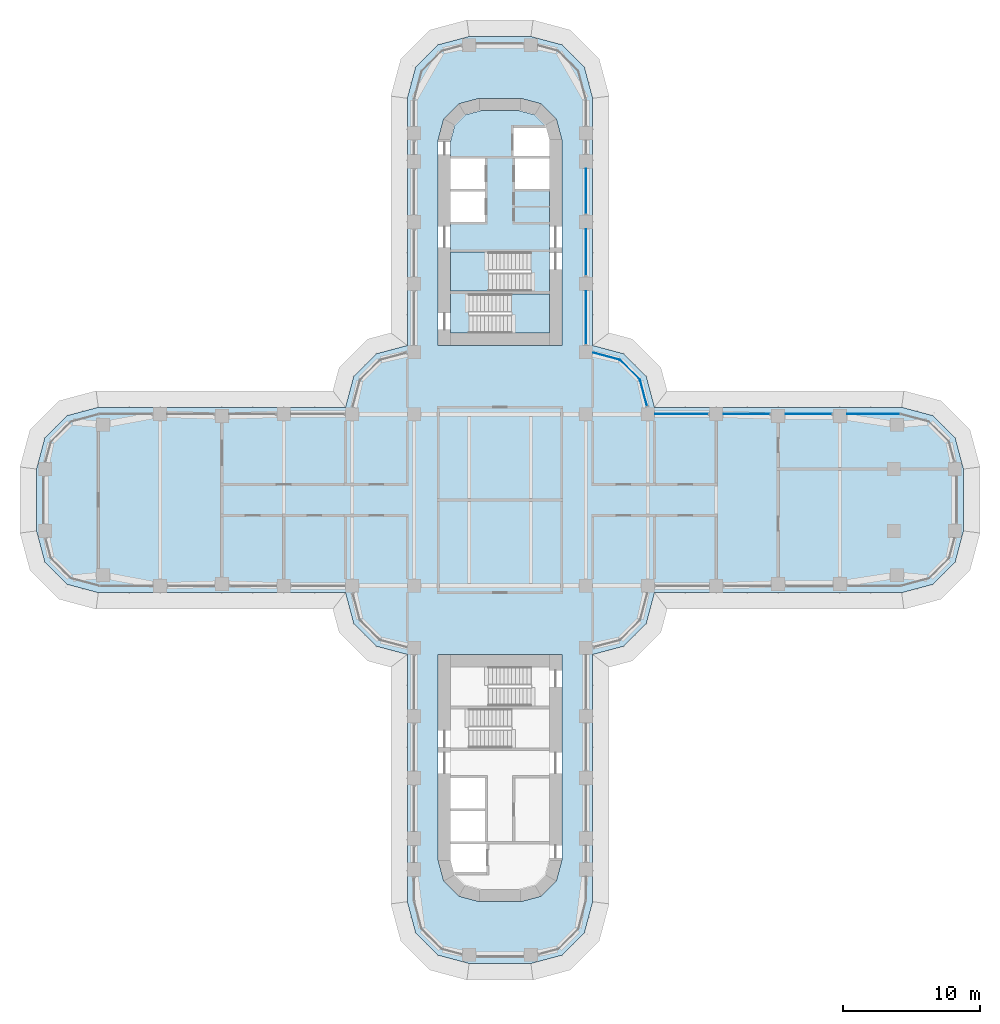
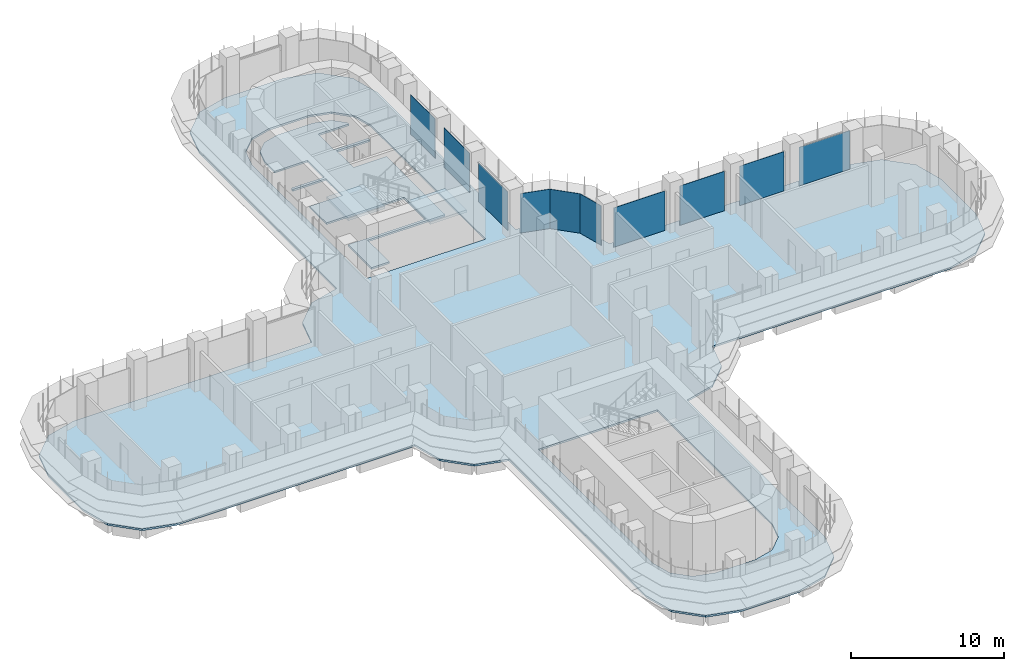
# One storey, part 15 of 23: 10 plates, 4 slabs, 7 elements without a shape of their own.
"""IFC4 building model written with IfcOpenShell, lengths in metres."""

from ifc_helpers import new_model, si_unit, direction, frame, origin, place, context, subcontext, project, spatial, polyline, outline, extrude, source, transform, mapped, material, layer, layer_set, type_object, element, aggregate, save


model = new_model("IFC4")

# Units and contexts
model_context = context("Model", 3, precision=1e-05, world=origin(), true_north=direction((0.0, 1.0)))
body_context = subcontext(model_context, "Body", "Model", "MODEL_VIEW")
ifc_project = project(units=[si_unit("LENGTHUNIT", "METRE"), si_unit("AREAUNIT", "SQUARE_METRE"), si_unit("VOLUMEUNIT", "CUBIC_METRE"), si_unit("PLANEANGLEUNIT", "RADIAN"), si_unit("MASSUNIT", "GRAM", prefix="KILO")], contexts=[model_context])

# Site, building, storey
site_placement = place(None, origin())
site = spatial("IfcSite", under=ifc_project, at=site_placement, CompositionType="ELEMENT")
building_placement = place(site_placement, origin())
building = spatial("IfcBuilding", under=site, at=building_placement, Name="Zarbagh Exchange Tower", CompositionType="ELEMENT")
storey_placement = place(building_placement, frame((0.0, 0.0, 52.199951171875)))
storey = spatial("IfcBuildingStorey", under=building, at=storey_placement, Name="L11", CompositionType="ELEMENT", Elevation=52.199951171875)

# Slabs
ifc_material_1 = material(Name="Concrete C40/50", Category="concrete")
ifc_layer_1 = layer(ifc_material_1, 0.14990234375)
ifc_layer_set_1 = layer_set([ifc_layer_1], Name="Composite floor slab 150 C40/50")
slab_type_1 = type_object("IfcSlabType", Name="Composite floor slab 150 C40/50", PredefinedType="FLOOR", material=ifc_layer_set_1)
slab_1_placement = place(storey_placement, frame((0.0, 0.0, -0.14990234375)))
element("IfcSlab", 1, at=slab_1_placement, inside=storey, type_object=slab_type_1, Name="S5 composite floor slab", PredefinedType="FLOOR", context=body_context, shape_type="SweptSolid", body=[
    extrude(outline(polyline([(-2.25, -33.75), (-4.5, -33.147216796875), (-6.147216796875, -31.5), (-6.75, -29.25), (-6.75, -11.25), (-9.0, -10.647216796875), (-10.647216796875, -9.0), (-11.25, -6.75), (-29.25, -6.75), (-31.5, -6.147216796875), (-33.147216796875, -4.5), (-33.75, -2.25), (-33.75, 2.25), (-33.147216796875, 4.5), (-31.5, 6.147216796875), (-29.25, 6.75), (-11.25, 6.75), (-10.647216796875, 9.0), (-9.0, 10.647216796875), (-6.75, 11.25), (-6.75, 29.25), (-6.147216796875, 31.5), (-4.5, 33.147216796875), (-2.25, 33.75), (2.25, 33.75), (4.5, 33.147216796875), (6.147216796875, 31.5), (6.75, 29.25), (6.75, 11.25), (9.0, 10.647216796875), (10.647216796875, 9.0), (11.25, 6.75), (29.25, 6.75), (31.5, 6.147216796875), (33.147216796875, 4.5), (33.75, 2.25), (33.75, -2.25), (33.147216796875, -4.5), (31.5, -6.147216796875), (29.25, -6.75), (11.25, -6.75), (10.647216796875, -9.0), (9.0, -10.647216796875), (6.75, -11.25), (6.75, -29.25), (6.147216796875, -31.5), (4.5, -33.147216796875), (2.25, -33.75), (-2.25, -33.75)]), holes=[polyline([(4.5, 11.25), (4.5, 26.25), (4.09814453125, 27.75), (3.0, 28.84814453125), (1.5, 29.25), (-1.5, 29.25), (-3.0, 28.84814453125), (-4.09814453125, 27.75), (-4.5, 26.25), (-4.5, 11.25), (4.5, 11.25)]), polyline([(-1.5, -29.25), (1.5, -29.25), (3.0, -28.84814453125), (4.09814453125, -27.75), (4.5, -26.25), (4.5, -11.25), (-4.5, -11.25), (-4.5, -26.25), (-4.09814453125, -27.75), (-3.0, -28.84814453125), (-1.5, -29.25)])]), origin(), (0.0, 0.0, 1.0), 0.14990234375),
])
ifc_layer_2 = layer(ifc_material_1, 0.14990234375)
ifc_layer_set_2 = layer_set([ifc_layer_2], Name="Core floor slab 150 C40/50")
slab_type_2 = type_object("IfcSlabType", Name="Core floor slab 150 C40/50", PredefinedType="FLOOR", material=ifc_layer_set_2)
slab_2_placement = place(storey_placement, frame((0.0, 0.0, -0.14990234375)))
element("IfcSlab", 2, at=slab_2_placement, inside=storey, type_object=slab_type_2, Name="S17 core N", PredefinedType="FLOOR", context=body_context, shape_type="SweptSolid", body=[
    extrude(outline(polyline([(-3.60009765625, 12.14990234375), (-3.60009765625, 15.199951171875), (2.25, 15.199951171875), (2.25, 18.050048828125), (-3.60009765625, 18.050048828125), (-3.60009765625, 20.25), (-1.10009765625, 20.25), (-1.10009765625, 22.449951171875), (-3.60009765625, 22.449951171875), (-3.60009765625, 22.64990234375), (-1.10009765625, 22.64990234375), (-1.10009765625, 24.85009765625), (-3.60009765625, 24.85009765625), (-3.60009765625, 26.131591796875), (-3.291259765625, 27.2841796875), (-2.5341796875, 28.041259765625), (-1.381591796875, 28.35009765625), (1.381591796875, 28.35009765625), (2.5341796875, 28.041259765625), (3.291259765625, 27.2841796875), (3.340576171875, 27.10009765625), (1.0, 27.10009765625), (1.0, 25.050048828125), (3.60009765625, 25.050048828125), (3.60009765625, 24.85009765625), (1.10009765625, 24.85009765625), (1.10009765625, 22.64990234375), (3.60009765625, 22.64990234375), (3.60009765625, 15.0), (-2.25, 15.0), (-2.25, 12.14990234375), (-3.60009765625, 12.14990234375)])), origin(), (0.0, 0.0, 1.0), 0.14990234375),
])

# Stair, slab
stair_type = type_object("IfcStairType", Name="Exit stair two-flight half-turn", PredefinedType="HALF_TURN_STAIR", material=ifc_material_1)
stair_1_placement = place(storey_placement, origin())
stair_1 = element("IfcStair", 3, at=stair_1_placement, inside=storey, type_object=stair_type, Name="exit stair ST1", PredefinedType="HALF_TURN_STAIR")
ifc_layer_3 = layer(ifc_material_1, 0.199951171875)
ifc_layer_set_3 = layer_set([ifc_layer_3], Name="Stair landing 200 mm")
slab_type_3 = type_object("IfcSlabType", Name="Stair landing 200 mm", PredefinedType="LANDING", material=ifc_layer_set_3)
slab_3_placement = place(storey_placement, frame((0.0, 0.0, 1.900146484375)))
slab_3 = element("IfcSlab", 4, at=slab_3_placement, type_object=slab_type_3, Name="ST1 landing 1", PredefinedType="LANDING", context=body_context, shape_type="SweptSolid", body=[
    extrude(outline(polyline([(-0.830078125, 18.050048828125), (-3.60009765625, 18.050048828125), (-3.60009765625, 15.199951171875), (-0.830078125, 15.199951171875), (-0.830078125, 18.050048828125)])), origin(), (0.0, 0.0, 1.0), 0.199951171875),
])
aggregate(stair_1, [slab_3])

stair_2_placement = place(storey_placement, origin())
stair_2 = element("IfcStair", 5, at=stair_2_placement, inside=storey, type_object=stair_type, Name="exit stair ST2", PredefinedType="HALF_TURN_STAIR")
slab_4_placement = place(storey_placement, frame((0.0, 0.0, 1.900146484375)))
slab_4 = element("IfcSlab", 6, at=slab_4_placement, type_object=slab_type_3, Name="ST2 landing 1", PredefinedType="LANDING", context=body_context, shape_type="SweptSolid", body=[
    extrude(outline(polyline([(0.830078125, 12.14990234375), (3.60009765625, 12.14990234375), (3.60009765625, 15.0), (0.830078125, 15.0), (0.830078125, 12.14990234375)])), origin(), (0.0, 0.0, 1.0), 0.199951171875),
])
aggregate(stair_2, [slab_4])

# Curtain wall, plate
ifc_material_2 = material(Name="Anodised aluminium frame and glazing", Category="aluminium")
curtain_wall_type = type_object("IfcCurtainWallType", Name="CWA Ribbon glazing, lower zones", PredefinedType="NOTDEFINED", material=ifc_material_2)
curtain_wall_1_placement = place(storey_placement, origin())
curtain_wall_1 = element("IfcCurtainWall", 7, at=curtain_wall_1_placement, inside=storey, type_object=curtain_wall_type, Name="CWA18 curtain wall", PredefinedType="NOTDEFINED")
ifc_material_3 = material(Name="Low-e double glazed unit, 6+12+6 mm")
ifc_layer_4 = layer(ifc_material_3, 0.028076171875)
ifc_layer_set_4 = layer_set([ifc_layer_4], Name="PAA Glazing panel, Low-e double glazed unit, 6+12+6 mm")
plate_type = type_object("IfcPlateType", Name="PAA Glazing panel, Low-e double glazed unit, 6+12+6 mm", PredefinedType="CURTAIN_PANEL", material=ifc_layer_set_4)
shared_shape_1 = source(origin(), body_context, "Body", "SweptSolid", [
    extrude(outline(polyline([(0.0, -0.013916015625), (2.061279296875, -0.013916015625), (2.061279296875, 0.013916015625), (0.0, 0.013916015625), (0.0, -0.013916015625)])), origin(), (0.0, 0.0, 1.0), 3.14990234375),
])
placement = place(storey_placement, origin())
plate_1 = element("IfcPlate", 8, at=placement, type_object=plate_type, Name="CWA18 glazing panel 1.1", PredefinedType="CURTAIN_PANEL", context=body_context, shape_type="MappedRepresentation", body=[
    mapped(shared_shape_1, transform((10.19873046875, 8.7412109375, 0.0), x_axis=(-0.707106781187, 0.707106781187, 0.0), y_axis=(-0.707106781187, -0.707106781187, 0.0), z_axis=(0.0, 0.0, 1.0))),
])
aggregate(curtain_wall_1, [plate_1])

curtain_wall_2_placement = place(storey_placement, origin())
curtain_wall_2 = element("IfcCurtainWall", 9, at=curtain_wall_2_placement, inside=storey, type_object=curtain_wall_type, Name="CWA20 curtain wall", PredefinedType="NOTDEFINED")
shared_shape_2 = source(origin(), body_context, "Body", "SweptSolid", [
    extrude(outline(polyline([(0.0, -0.013916015625), (3.260009765625, -0.013916015625), (3.260009765625, 0.013916015625), (0.0, 0.013916015625), (0.0, -0.013916015625)])), origin(), (0.0, 0.0, 1.0), 3.14990234375),
])
plate_2 = element("IfcPlate", 10, at=placement, type_object=plate_type, Name="CWA20 glazing panel 3.1", PredefinedType="CURTAIN_PANEL", context=body_context, shape_type="MappedRepresentation", body=[
    mapped(shared_shape_2, transform((6.25, 20.85009765625, 0.0), x_axis=(0.0, 1.0, 0.0), y_axis=(-1.0, 0.0, 0.0), z_axis=(0.0, 0.0, 1.0))),
])

# Curtain wall, plates
curtain_wall_3_placement = place(storey_placement, origin())
curtain_wall_3 = element("IfcCurtainWall", 11, at=curtain_wall_3_placement, inside=storey, type_object=curtain_wall_type, Name="CWA16 curtain wall", PredefinedType="NOTDEFINED")
shared_shape_3 = source(origin(), body_context, "Body", "SweptSolid", [
    extrude(outline(polyline([(0.0, -0.013916015625), (3.360107421875, -0.013916015625), (3.360107421875, 0.013916015625), (0.0, 0.013916015625), (0.0, -0.013916015625)])), origin(), (0.0, 0.0, 1.0), 3.14990234375),
])
plate_3 = element("IfcPlate", 12, at=placement, type_object=plate_type, Name="CWA16 glazing panel 2.1", PredefinedType="CURTAIN_PANEL", context=body_context, shape_type="MappedRepresentation", body=[
    mapped(shared_shape_3, transform((24.14990234375, 6.25, 0.0), x_axis=(-1.0, 0.0, 0.0), y_axis=(0.0, -1.0, 0.0), z_axis=(0.0, 0.0, 1.0))),
])
plate_4 = element("IfcPlate", 13, at=placement, type_object=plate_type, Name="CWA16 glazing panel 3.1", PredefinedType="CURTAIN_PANEL", context=body_context, shape_type="MappedRepresentation", body=[
    mapped(shared_shape_3, transform((19.64990234375, 6.25, 0.0), x_axis=(-1.0, 0.0, 0.0), y_axis=(0.0, -1.0, 0.0), z_axis=(0.0, 0.0, 1.0))),
])

# Plate
plate_5 = element("IfcPlate", 14, at=placement, type_object=plate_type, Name="CWA20 glazing panel 2.1", PredefinedType="CURTAIN_PANEL", context=body_context, shape_type="MappedRepresentation", body=[
    mapped(shared_shape_3, transform((6.25, 16.35009765625, 0.0), x_axis=(0.0, 1.0, 0.0), y_axis=(-1.0, 0.0, 0.0), z_axis=(0.0, 0.0, 1.0))),
])

# Curtain wall, plate
curtain_wall_4_placement = place(storey_placement, origin())
curtain_wall_4 = element("IfcCurtainWall", 15, at=curtain_wall_4_placement, inside=storey, type_object=curtain_wall_type, Name="CWA17 curtain wall", PredefinedType="NOTDEFINED")
shared_shape_4 = source(origin(), body_context, "Body", "SweptSolid", [
    extrude(outline(polyline([(0.0, -0.013916015625), (1.9599609375, -0.013916015625), (1.9599609375, 0.013916015625), (0.0, 0.013916015625), (0.0, -0.013916015625)])), origin(), (0.0, 0.0, 1.0), 3.14990234375),
])
plate_6 = element("IfcPlate", 16, at=placement, type_object=plate_type, Name="CWA17 glazing panel 1.1", PredefinedType="CURTAIN_PANEL", context=body_context, shape_type="MappedRepresentation", body=[
    mapped(shared_shape_4, transform((10.7060546875, 6.847900390625, 0.0), x_axis=(-0.258824779902, 0.965924289636, 0.0), y_axis=(-0.965924289636, -0.258824779902, 0.0), z_axis=(0.0, 0.0, 1.0))),
])
aggregate(curtain_wall_4, [plate_6])

curtain_wall_5_placement = place(storey_placement, origin())
curtain_wall_5 = element("IfcCurtainWall", 17, at=curtain_wall_5_placement, inside=storey, type_object=curtain_wall_type, Name="CWA19 curtain wall", PredefinedType="NOTDEFINED")
shared_shape_5 = source(origin(), body_context, "Body", "SweptSolid", [
    extrude(outline(polyline([(0.0, -0.013916015625), (2.02001953125, -0.013916015625), (2.02001953125, 0.013916015625), (0.0, 0.013916015625), (0.0, -0.013916015625)])), origin(), (0.0, 0.0, 1.0), 3.14990234375),
])
plate_7 = element("IfcPlate", 18, at=placement, type_object=plate_type, Name="CWA19 glazing panel 1.1", PredefinedType="CURTAIN_PANEL", context=body_context, shape_type="MappedRepresentation", body=[
    mapped(shared_shape_5, transform((8.7412109375, 10.19873046875, 0.0), x_axis=(-0.965924289636, 0.258824779902, 0.0), y_axis=(-0.258824779902, -0.965924289636, 0.0), z_axis=(0.0, 0.0, 1.0))),
])
aggregate(curtain_wall_5, [plate_7])

# Plate
shared_shape_6 = source(origin(), body_context, "Body", "SweptSolid", [
    extrude(outline(polyline([(0.0, -0.013916015625), (3.860107421875, -0.013916015625), (3.860107421875, 0.013916015625), (0.0, 0.013916015625), (0.0, -0.013916015625)])), origin(), (0.0, 0.0, 1.0), 3.090087890625),
])
plate_8 = element("IfcPlate", 19, at=placement, type_object=plate_type, Name="CWA20 glazing panel 1.1", PredefinedType="CURTAIN_PANEL", context=body_context, shape_type="MappedRepresentation", body=[
    mapped(shared_shape_6, transform((6.25, 11.35009765625, 0.0), x_axis=(0.0, 1.0, 0.0), y_axis=(-1.0, 0.0, 0.0), z_axis=(0.0, 0.0, 1.0))),
])

aggregate(curtain_wall_2, [plate_8, plate_5, plate_2])

shared_shape_7 = source(origin(), body_context, "Body", "SweptSolid", [
    extrude(outline(polyline([(0.0, -0.013916015625), (3.834228515625, -0.013916015625), (3.834228515625, 0.013916015625), (0.0, 0.013916015625), (0.0, -0.013916015625)])), origin(), (0.0, 0.0, 1.0), 3.090087890625),
])
plate_9 = element("IfcPlate", 20, at=placement, type_object=plate_type, Name="CWA16 glazing panel 1.1", PredefinedType="CURTAIN_PANEL", context=body_context, shape_type="MappedRepresentation", body=[
    mapped(shared_shape_7, transform((29.124267578125, 6.25, 0.0), x_axis=(-1.0, 0.0, 0.0), y_axis=(0.0, -1.0, 0.0), z_axis=(0.0, 0.0, 1.0))),
])

shared_shape_8 = source(origin(), body_context, "Body", "SweptSolid", [
    extrude(outline(polyline([(0.0, -0.013916015625), (3.860107421875, -0.013916015625), (3.860107421875, 0.013916015625), (0.0, 0.013916015625), (0.0, -0.013916015625)])), origin(), (0.0, 0.0, 1.0), 3.14990234375),
])
plate_10 = element("IfcPlate", 21, at=placement, type_object=plate_type, Name="CWA16 glazing panel 4.1", PredefinedType="CURTAIN_PANEL", context=body_context, shape_type="MappedRepresentation", body=[
    mapped(shared_shape_8, transform((15.14990234375, 6.25, 0.0), x_axis=(-1.0, 0.0, 0.0), y_axis=(0.0, -1.0, 0.0), z_axis=(0.0, 0.0, 1.0))),
])

aggregate(curtain_wall_3, [plate_9, plate_3, plate_4, plate_10])

save(model, "model.ifc")
